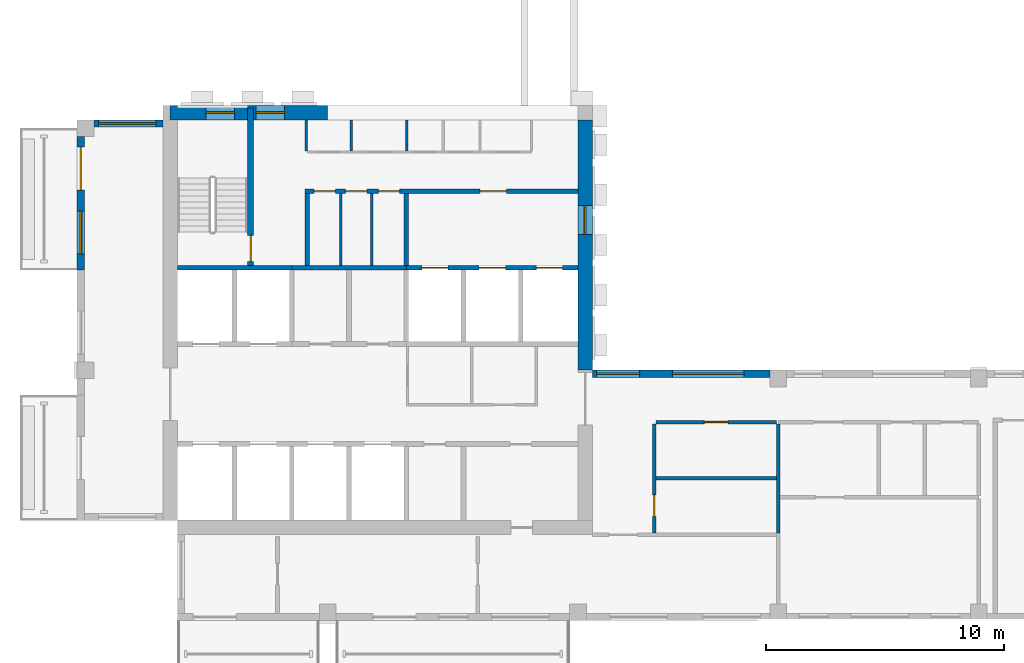
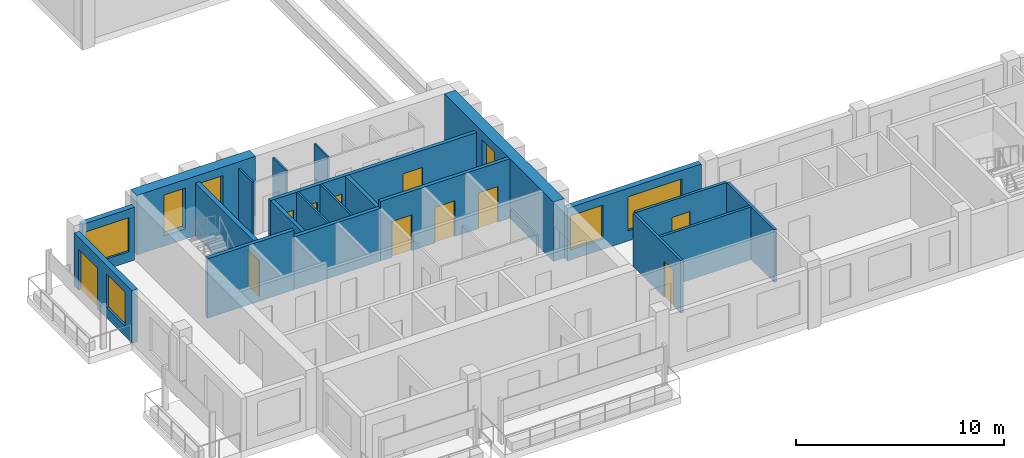
# One storey, part 3 of 9: 21 walls, 11 doors, 7 windows, 18 openings.
"""IFC4 building model written with IfcOpenShell, lengths in metres."""

from ifc_helpers import new_model, si_unit, direction, frame, frame_2d, origin, place, context, subcontext, project, spatial, rectangle, extrude, source, transform, mapped, material, layer, layer_set, type_object, element, fill, save


model = new_model("IFC4")

# Units and contexts
model_context = context("Model", 3, precision=1e-05, world=origin(), true_north=direction((0.0, 1.0)))
body_context = subcontext(model_context, "Body", "Model", "MODEL_VIEW")
ifc_project = project(units=[si_unit("LENGTHUNIT", "METRE"), si_unit("AREAUNIT", "SQUARE_METRE"), si_unit("VOLUMEUNIT", "CUBIC_METRE"), si_unit("PLANEANGLEUNIT", "RADIAN"), si_unit("MASSUNIT", "GRAM", prefix="KILO")], contexts=[model_context])

# Site, building, storey
site_placement = place(None, origin())
site = spatial("IfcSite", under=ifc_project, at=site_placement, CompositionType="ELEMENT")
building_placement = place(site_placement, origin())
building = spatial("IfcBuilding", under=site, at=building_placement, Name="Aurelian Terraces", CompositionType="ELEMENT")
storey_placement = place(building_placement, frame((0.0, 0.0, 319.5)))
storey = spatial("IfcBuildingStorey", under=building, at=storey_placement, Name="L74", CompositionType="ELEMENT", Elevation=319.5)

# Wall, opening, window
ifc_material_1 = material(Name="Concrete fc' 55 MPa", Category="concrete")
ifc_layer_1 = layer(ifc_material_1, 0.6)
ifc_layer_set_1 = layer_set([ifc_layer_1], Name="CORE WALL 600 FC55")
wall_type_1 = type_object("IfcWallType", Name="CORE WALL 600 FC55", PredefinedType="SHEAR", material=ifc_layer_set_1)
shared_shape_1 = source(origin(), body_context, "Body", "SweptSolid", [
    extrude(rectangle(XDim=10.5, YDim=0.6, at=frame_2d((5.25, 0.0))), origin(), (0.0, 0.0, 1.0), 3.5),
])
wall_1_placement = place(storey_placement, frame((21.3, 10.5, 0.0), z_axis=(0.0, 0.0, 1.0), x_axis=(0.0, 1.0, 0.0)))
wall_1 = element("IfcWall", 1, at=wall_1_placement, inside=storey, type_object=wall_type_1, Name="Core wall E L74 exposed", PredefinedType="SHEAR", context=body_context, shape_type="MappedRepresentation", body=[
    mapped(shared_shape_1, transform((0.0, 0.0, 0.0), scale=1.0)),
])
shared_shape_2 = source(origin(), body_context, "Body", "SweptSolid", [
    extrude(rectangle(XDim=1.2, YDim=2.4, at=frame_2d((0.6, 1.2))), frame((0.0, 0.31, 0.0), z_axis=(0.0, -1.0, 0.0), x_axis=(1.0, 0.0, 0.0)), (0.0, 0.0, 1.0), 0.62),
])
opening_1_placement = place(wall_1_placement, frame((5.7, 0.0, 0.6)))
opening_1 = element("IfcOpeningElement", 2, at=opening_1_placement, cuts=wall_1, Name="Opening W-CL", PredefinedType="OPENING", context=body_context, shape_type="MappedRepresentation", body=[
    mapped(shared_shape_2, transform((0.0, 0.0, 0.0), scale=1.0)),
])
ifc_material_2 = material(Name="Fire-resisting glazing", Category="glass")
window_type_1 = type_object("IfcWindowType", Name="Core lobby window 1200x2400", PartitioningType="SINGLE_PANEL", PredefinedType="WINDOW", material=ifc_material_2)
shared_shape_3 = source(origin(), body_context, "Body", "SweptSolid", [
    extrude(rectangle(XDim=1.2, YDim=2.4, at=frame_2d((0.6, 1.2))), frame((0.0, 0.03, 0.0), z_axis=(0.0, -1.0, 0.0), x_axis=(1.0, 0.0, 0.0)), (0.0, 0.0, 1.0), 0.06),
])
window_1_placement = place(opening_1_placement, origin())
window_1 = element("IfcWindow", 3, at=window_1_placement, inside=storey, type_object=window_type_1, Name="Lobby window L74 E31", OverallHeight=2.4, OverallWidth=1.2, PartitioningType="SINGLE_PANEL", PredefinedType="WINDOW", context=body_context, shape_type="MappedRepresentation", body=[
    mapped(shared_shape_3, transform((0.0, 0.0, 0.0), scale=1.0)),
])
fill(opening_1, window_1)

# Wall, openings, windows
shared_shape_4 = source(origin(), body_context, "Body", "SweptSolid", [
    extrude(rectangle(XDim=6.6, YDim=0.6, at=frame_2d((3.3, 0.0))), origin(), (0.0, 0.0, 1.0), 3.5),
])
wall_2_placement = place(storey_placement, frame((3.9, 21.3, 0.0), z_axis=(0.0, 0.0, 1.0), x_axis=(1.0, 0.0, 0.0)))
wall_2 = element("IfcWall", 4, at=wall_2_placement, inside=storey, type_object=wall_type_1, Name="Core wall N L74 exposed", PredefinedType="SHEAR", context=body_context, shape_type="MappedRepresentation", body=[
    mapped(shared_shape_4, transform((0.0, 0.0, 0.0), scale=1.0)),
])
opening_2_placement = place(wall_2_placement, frame((1.5, 0.0, 0.6)))
opening_2 = element("IfcOpeningElement", 5, at=opening_2_placement, cuts=wall_2, Name="Opening W-CL", PredefinedType="OPENING", context=body_context, shape_type="MappedRepresentation", body=[
    mapped(shared_shape_2, transform((0.0, 0.0, 0.0), scale=1.0)),
])
opening_3_placement = place(wall_2_placement, frame((3.6, 0.0, 0.6)))
opening_3 = element("IfcOpeningElement", 6, at=opening_3_placement, cuts=wall_2, Name="Opening W-CL", PredefinedType="OPENING", context=body_context, shape_type="MappedRepresentation", body=[
    mapped(shared_shape_2, transform((0.0, 0.0, 0.0), scale=1.0)),
])
window_2_placement = place(opening_2_placement, origin())
window_2 = element("IfcWindow", 7, at=window_2_placement, inside=storey, type_object=window_type_1, Name="Lobby window L74 N32", OverallHeight=2.4, OverallWidth=1.2, PartitioningType="SINGLE_PANEL", PredefinedType="WINDOW", context=body_context, shape_type="MappedRepresentation", body=[
    mapped(shared_shape_3, transform((0.0, 0.0, 0.0), scale=1.0)),
])
fill(opening_2, window_2)
window_3_placement = place(opening_3_placement, origin())
window_3 = element("IfcWindow", 8, at=window_3_placement, inside=storey, type_object=window_type_1, Name="Lobby window L74 N33", OverallHeight=2.4, OverallWidth=1.2, PartitioningType="SINGLE_PANEL", PredefinedType="WINDOW", context=body_context, shape_type="MappedRepresentation", body=[
    mapped(shared_shape_3, transform((0.0, 0.0, 0.0), scale=1.0)),
])
fill(opening_3, window_3)

ifc_material_3 = material(Name="Terracotta rainscreen cladding", Category="masonry")
ifc_layer_2 = layer(ifc_material_3, 0.3)
ifc_layer_set_2 = layer_set([ifc_layer_2], Name="EW-300")
wall_type_2 = type_object("IfcWallType", Name="EW-300", PredefinedType="STANDARD", material=ifc_layer_set_2)
shared_shape_5 = source(origin(), body_context, "Body", "SweptSolid", [
    extrude(rectangle(XDim=7.45, YDim=0.3, at=frame_2d((3.725, 0.0))), origin(), (0.0, 0.0, 1.0), 3.1),
])
wall_3_placement = place(storey_placement, frame((29.05, 10.35, 0.0), z_axis=(0.0, 0.0, 1.0), x_axis=(-1.0, 0.0, 0.0)))
wall_3 = element("IfcWall", 9, at=wall_3_placement, inside=storey, type_object=wall_type_2, Name="External wall L74 F03.8", PredefinedType="STANDARD", context=body_context, shape_type="MappedRepresentation", body=[
    mapped(shared_shape_5, transform((0.0, 0.0, 0.0), scale=1.0)),
])
shared_shape_6 = source(origin(), body_context, "Body", "SweptSolid", [
    extrude(rectangle(XDim=3.0, YDim=2.0, at=frame_2d((1.5, 1.0))), frame((0.0, 0.16, 0.0), z_axis=(0.0, -1.0, 0.0), x_axis=(1.0, 0.0, 0.0)), (0.0, 0.0, 1.0), 0.32),
])
opening_4_placement = place(wall_3_placement, frame((1.09, 0.0, 0.6)))
opening_4 = element("IfcOpeningElement", 10, at=opening_4_placement, cuts=wall_3, Name="Opening W3020", PredefinedType="OPENING", context=body_context, shape_type="MappedRepresentation", body=[
    mapped(shared_shape_6, transform((0.0, 0.0, 0.0), scale=1.0)),
])
shared_shape_7 = source(origin(), body_context, "Body", "SweptSolid", [
    extrude(rectangle(XDim=1.8, YDim=2.0, at=frame_2d((0.9, 1.0))), frame((0.0, 0.16, 0.0), z_axis=(0.0, -1.0, 0.0), x_axis=(1.0, 0.0, 0.0)), (0.0, 0.0, 1.0), 0.32),
])
opening_5_placement = place(wall_3_placement, frame((5.47, 0.0, 0.6)))
opening_5 = element("IfcOpeningElement", 11, at=opening_5_placement, cuts=wall_3, Name="Opening W1820", PredefinedType="OPENING", context=body_context, shape_type="MappedRepresentation", body=[
    mapped(shared_shape_7, transform((0.0, 0.0, 0.0), scale=1.0)),
])
ifc_material_4 = material(Name="Clear glazing", Category="glass")
window_type_2 = type_object("IfcWindowType", Name="W-3000x2000", PartitioningType="SINGLE_PANEL", PredefinedType="WINDOW", material=ifc_material_4)
shared_shape_8 = source(origin(), body_context, "Body", "SweptSolid", [
    extrude(rectangle(XDim=3.0, YDim=2.0, at=frame_2d((1.5, 1.0))), frame((0.0, 0.03, 0.0), z_axis=(0.0, -1.0, 0.0), x_axis=(1.0, 0.0, 0.0)), (0.0, 0.0, 1.0), 0.06),
])
window_4_placement = place(opening_4_placement, origin())
window_4 = element("IfcWindow", 12, at=window_4_placement, inside=storey, type_object=window_type_2, Name="Window L74 L74-F03-08-5", OverallHeight=2.0, OverallWidth=3.0, PartitioningType="SINGLE_PANEL", PredefinedType="WINDOW", context=body_context, shape_type="MappedRepresentation", body=[
    mapped(shared_shape_8, transform((0.0, 0.0, 0.0), scale=1.0)),
])
fill(opening_4, window_4)
window_type_3 = type_object("IfcWindowType", Name="W-1800x2000", PartitioningType="SINGLE_PANEL", PredefinedType="WINDOW", material=ifc_material_4)
shared_shape_9 = source(origin(), body_context, "Body", "SweptSolid", [
    extrude(rectangle(XDim=1.8, YDim=2.0, at=frame_2d((0.9, 1.0))), frame((0.0, 0.03, 0.0), z_axis=(0.0, -1.0, 0.0), x_axis=(1.0, 0.0, 0.0)), (0.0, 0.0, 1.0), 0.06),
])
window_5_placement = place(opening_5_placement, origin())
window_5 = element("IfcWindow", 13, at=window_5_placement, inside=storey, type_object=window_type_3, Name="Window L74 L74-F03-08-6", OverallHeight=2.0, OverallWidth=1.8, PartitioningType="SINGLE_PANEL", PredefinedType="WINDOW", context=body_context, shape_type="MappedRepresentation", body=[
    mapped(shared_shape_9, transform((0.0, 0.0, 0.0), scale=1.0)),
])
fill(opening_5, window_5)

# Wall, opening, window
shared_shape_10 = source(origin(), body_context, "Body", "SweptSolid", [
    extrude(rectangle(XDim=2.9, YDim=0.3, at=frame_2d((1.45, 0.0))), origin(), (0.0, 0.0, 1.0), 3.1),
])
wall_4_placement = place(storey_placement, frame((3.6, 20.85, 0.0), z_axis=(0.0, 0.0, 1.0), x_axis=(-1.0, 0.0, 0.0)))
wall_4 = element("IfcWall", 14, at=wall_4_placement, inside=storey, type_object=wall_type_2, Name="External wall L74 F11.17", PredefinedType="STANDARD", context=body_context, shape_type="MappedRepresentation", body=[
    mapped(shared_shape_10, transform((0.0, 0.0, 0.0), scale=1.0)),
])
shared_shape_11 = source(origin(), body_context, "Body", "SweptSolid", [
    extrude(rectangle(XDim=2.4, YDim=2.0, at=frame_2d((1.2, 1.0))), frame((0.0, 0.16, 0.0), z_axis=(0.0, -1.0, 0.0), x_axis=(1.0, 0.0, 0.0)), (0.0, 0.0, 1.0), 0.32),
])
opening_6_placement = place(wall_4_placement, frame((0.3, 0.0, 0.6)))
opening_6 = element("IfcOpeningElement", 15, at=opening_6_placement, cuts=wall_4, Name="Opening W2420", PredefinedType="OPENING", context=body_context, shape_type="MappedRepresentation", body=[
    mapped(shared_shape_11, transform((0.0, 0.0, 0.0), scale=1.0)),
])
window_type_4 = type_object("IfcWindowType", Name="W-2400x2000", PartitioningType="SINGLE_PANEL", PredefinedType="WINDOW", material=ifc_material_4)
shared_shape_12 = source(origin(), body_context, "Body", "SweptSolid", [
    extrude(rectangle(XDim=2.4, YDim=2.0, at=frame_2d((1.2, 1.0))), frame((0.0, 0.03, 0.0), z_axis=(0.0, -1.0, 0.0), x_axis=(1.0, 0.0, 0.0)), (0.0, 0.0, 1.0), 0.06),
])
window_6_placement = place(opening_6_placement, origin())
window_6 = element("IfcWindow", 16, at=window_6_placement, inside=storey, type_object=window_type_4, Name="Window L74 L74-F11-17-0", OverallHeight=2.0, OverallWidth=2.4, PartitioningType="SINGLE_PANEL", PredefinedType="WINDOW", context=body_context, shape_type="MappedRepresentation", body=[
    mapped(shared_shape_12, transform((0.0, 0.0, 0.0), scale=1.0)),
])
fill(opening_6, window_6)

# Wall, openings, door, window
shared_shape_13 = source(origin(), body_context, "Body", "SweptSolid", [
    extrude(rectangle(XDim=5.6, YDim=0.3, at=frame_2d((2.8, 0.0))), origin(), (0.0, 0.0, 1.0), 3.1),
])
wall_5_placement = place(storey_placement, frame((0.15, 20.3, 0.0), z_axis=(0.0, 0.0, 1.0), x_axis=(0.0, -1.0, 0.0)))
wall_5 = element("IfcWall", 17, at=wall_5_placement, inside=storey, type_object=wall_type_2, Name="External wall L74 F12.18", PredefinedType="STANDARD", context=body_context, shape_type="MappedRepresentation", body=[
    mapped(shared_shape_13, transform((0.0, 0.0, 0.0), scale=1.0)),
])
shared_shape_14 = source(origin(), body_context, "Body", "SweptSolid", [
    extrude(rectangle(XDim=1.8, YDim=2.4, at=frame_2d((0.9, 1.2))), frame((0.0, 0.16, 0.0), z_axis=(0.0, -1.0, 0.0), x_axis=(1.0, 0.0, 0.0)), (0.0, 0.0, 1.0), 0.32),
])
opening_7_placement = place(wall_5_placement, frame((0.45, 0.0, 0.0)))
opening_7 = element("IfcOpeningElement", 18, at=opening_7_placement, cuts=wall_5, Name="Opening 87403", PredefinedType="OPENING", context=body_context, shape_type="MappedRepresentation", body=[
    mapped(shared_shape_14, transform((0.0, 0.0, 0.0), scale=1.0)),
])
opening_8_placement = place(wall_5_placement, frame((3.125, 0.0, 0.6)))
opening_8 = element("IfcOpeningElement", 19, at=opening_8_placement, cuts=wall_5, Name="Opening W1820", PredefinedType="OPENING", context=body_context, shape_type="MappedRepresentation", body=[
    mapped(shared_shape_7, transform((0.0, 0.0, 0.0), scale=1.0)),
])
door_type_1 = type_object("IfcDoorType", Name="BD-1800x2400", OperationType="SLIDING_TO_LEFT", PredefinedType="DOOR", material=ifc_material_4)
shared_shape_15 = source(origin(), body_context, "Body", "SweptSolid", [
    extrude(rectangle(XDim=1.8, YDim=2.4, at=frame_2d((0.9, 1.2))), frame((0.0, 0.025, 0.0), z_axis=(0.0, -1.0, 0.0), x_axis=(1.0, 0.0, 0.0)), (0.0, 0.0, 1.0), 0.05),
])
door_1_placement = place(opening_7_placement, origin())
door_1 = element("IfcDoor", 20, at=door_1_placement, inside=storey, type_object=door_type_1, Name="Balcony door L74 F12.18", OperationType="SLIDING_TO_LEFT", OverallHeight=2.4, OverallWidth=1.8, PredefinedType="DOOR", context=body_context, shape_type="MappedRepresentation", body=[
    mapped(shared_shape_15, transform((0.0, 0.0, 0.0), scale=1.0)),
])
fill(opening_7, door_1)
window_7_placement = place(opening_8_placement, origin())
window_7 = element("IfcWindow", 21, at=window_7_placement, inside=storey, type_object=window_type_3, Name="Window L74 L74-F12-18-1", OverallHeight=2.0, OverallWidth=1.8, PartitioningType="SINGLE_PANEL", PredefinedType="WINDOW", context=body_context, shape_type="MappedRepresentation", body=[
    mapped(shared_shape_9, transform((0.0, 0.0, 0.0), scale=1.0)),
])
fill(opening_8, window_7)

# Walls
ifc_material_5 = material(Name="Concrete fc' 40 MPa", Category="concrete")
ifc_layer_3 = layer(ifc_material_5, 0.2)
ifc_layer_set_3 = layer_set([ifc_layer_3], Name="Lift shaft wall 200")
wall_type_3 = type_object("IfcWallType", Name="Lift shaft wall 200", PredefinedType="SOLIDWALL", material=ifc_layer_set_3)
shared_shape_16 = source(origin(), body_context, "Body", "SweptSolid", [
    extrude(rectangle(XDim=4.8, YDim=0.2, at=frame_2d((2.4, 0.0))), origin(), (0.0, 0.0, 1.0), 3.5),
])
wall_6_placement = place(storey_placement, frame((4.2, 14.8, 0.0), z_axis=(0.0, 0.0, 1.0), x_axis=(1.0, 0.0, 0.0)))
element("IfcWall", 22, at=wall_6_placement, inside=storey, type_object=wall_type_3, Name="L74 core wall CF-BB1", PredefinedType="SOLIDWALL", context=body_context, shape_type="MappedRepresentation", body=[
    mapped(shared_shape_16, transform((0.0, 0.0, 0.0), scale=1.0)),
])
shared_shape_17 = source(origin(), body_context, "Body", "SweptSolid", [
    extrude(rectangle(XDim=4.8, YDim=0.2, at=frame_2d((2.4, 0.0))), origin(), (0.0, 0.0, 1.0), 3.1),
])
wall_7_placement = place(storey_placement, frame((9.0, 14.8, 0.0), z_axis=(0.0, 0.0, 1.0), x_axis=(1.0, 0.0, 0.0)))
element("IfcWall", 23, at=wall_7_placement, inside=storey, type_object=wall_type_3, Name="L74 core wall CF-BB2", PredefinedType="SOLIDWALL", context=body_context, shape_type="MappedRepresentation", body=[
    mapped(shared_shape_17, transform((0.0, 0.0, 0.0), scale=1.0)),
])

# Wall, openings, doors
shared_shape_18 = source(origin(), body_context, "Body", "SweptSolid", [
    extrude(rectangle(XDim=7.2, YDim=0.2, at=frame_2d((3.6, 0.0))), origin(), (0.0, 0.0, 1.0), 3.5),
])
wall_8_placement = place(storey_placement, frame((13.8, 14.8, 0.0), z_axis=(0.0, 0.0, 1.0), x_axis=(1.0, 0.0, 0.0)))
wall_8 = element("IfcWall", 24, at=wall_8_placement, inside=storey, type_object=wall_type_3, Name="L74 core wall CF-BB3", PredefinedType="SOLIDWALL", context=body_context, shape_type="MappedRepresentation", body=[
    mapped(shared_shape_18, transform((0.0, 0.0, 0.0), scale=1.0)),
])
shared_shape_19 = source(origin(), body_context, "Body", "SweptSolid", [
    extrude(rectangle(XDim=1.1, YDim=2.1, at=frame_2d((0.55, 1.05))), frame((0.0, 0.11, 0.0), z_axis=(0.0, -1.0, 0.0), x_axis=(1.0, 0.0, 0.0)), (0.0, 0.0, 1.0), 0.22),
])
opening_9_placement = place(wall_8_placement, frame((0.65, 0.0, 0.0)))
opening_9 = element("IfcOpeningElement", 25, at=opening_9_placement, cuts=wall_8, Name="Opening 67710", PredefinedType="OPENING", context=body_context, shape_type="MappedRepresentation", body=[
    mapped(shared_shape_19, transform((0.0, 0.0, 0.0), scale=1.0)),
])
opening_10_placement = place(wall_8_placement, frame((3.05, 0.0, 0.0)))
opening_10 = element("IfcOpeningElement", 26, at=opening_10_placement, cuts=wall_8, Name="Opening 67711", PredefinedType="OPENING", context=body_context, shape_type="MappedRepresentation", body=[
    mapped(shared_shape_19, transform((0.0, 0.0, 0.0), scale=1.0)),
])
opening_11_placement = place(wall_8_placement, frame((5.45, 0.0, 0.0)))
opening_11 = element("IfcOpeningElement", 27, at=opening_11_placement, cuts=wall_8, Name="Opening 67712", PredefinedType="OPENING", context=body_context, shape_type="MappedRepresentation", body=[
    mapped(shared_shape_19, transform((0.0, 0.0, 0.0), scale=1.0)),
])
ifc_material_6 = material(Name="Stainless steel", Category="steel")
door_type_2 = type_object("IfcDoorType", Name="Lift landing door 1100x2100", OperationType="SLIDING_TO_LEFT", PredefinedType="DOOR", material=ifc_material_6)
shared_shape_20 = source(origin(), body_context, "Body", "SweptSolid", [
    extrude(rectangle(XDim=1.1, YDim=2.1, at=frame_2d((0.55, 1.05))), frame((0.0, 0.025, 0.0), z_axis=(0.0, -1.0, 0.0), x_axis=(1.0, 0.0, 0.0)), (0.0, 0.0, 1.0), 0.05),
])
door_2_placement = place(opening_9_placement, origin())
door_2 = element("IfcDoor", 28, at=door_2_placement, inside=storey, type_object=door_type_2, Name="Lift landing door F1 L74", OperationType="SLIDING_TO_LEFT", OverallHeight=2.1, OverallWidth=1.1, PredefinedType="DOOR", context=body_context, shape_type="MappedRepresentation", body=[
    mapped(shared_shape_20, transform((0.0, 0.0, 0.0), scale=1.0)),
])
fill(opening_9, door_2)
door_3_placement = place(opening_10_placement, origin())
door_3 = element("IfcDoor", 29, at=door_3_placement, inside=storey, type_object=door_type_2, Name="Lift landing door F2 L74", OperationType="SLIDING_TO_LEFT", OverallHeight=2.1, OverallWidth=1.1, PredefinedType="DOOR", context=body_context, shape_type="MappedRepresentation", body=[
    mapped(shared_shape_20, transform((0.0, 0.0, 0.0), scale=1.0)),
])
fill(opening_10, door_3)
door_4_placement = place(opening_11_placement, origin())
door_4 = element("IfcDoor", 30, at=door_4_placement, inside=storey, type_object=door_type_2, Name="Lift landing door F3 L74", OperationType="SLIDING_TO_LEFT", OverallHeight=2.1, OverallWidth=1.1, PredefinedType="DOOR", context=body_context, shape_type="MappedRepresentation", body=[
    mapped(shared_shape_20, transform((0.0, 0.0, 0.0), scale=1.0)),
])
fill(opening_11, door_4)

# Walls
ifc_material_7 = material(Name="Gypsum board on steel studs", Category="steel")
ifc_layer_4 = layer(ifc_material_7, 0.2)
ifc_layer_set_4 = layer_set([ifc_layer_4], Name="Core partition 200")
wall_type_4 = type_object("IfcWallType", Name="Core partition 200", PredefinedType="PARTITIONING", material=ifc_layer_set_4)
shared_shape_21 = source(origin(), body_context, "Body", "SweptSolid", [
    extrude(rectangle(XDim=3.0, YDim=0.2, at=frame_2d((1.5, 0.0))), origin(), (0.0, 0.0, 1.0), 3.1),
])
for number, where, z_axis, x_axis, name in (
    (31, (9.65, 14.9, 0.0), (0.0, 0.0, 1.0), (0.0, 1.0, 0.0), "L74 core wall CP-VEST"),
    (32, (13.8, 14.9, 0.0), (0.0, 0.0, 1.0), (0.0, 1.0, 0.0), "L74 core wall CP-FFL"),
):
    element("IfcWall", number, at=place(storey_placement, frame(where, z_axis=z_axis, x_axis=x_axis)), inside=storey, type_object=wall_type_4, Name=name, PredefinedType="PARTITIONING", context=body_context, shape_type="MappedRepresentation", body=[
        mapped(shared_shape_21, transform((0.0, 0.0, 0.0), scale=1.0)),
    ])

# Wall, opening, door
ifc_layer_5 = layer(ifc_material_5, 0.25)
ifc_layer_set_5 = layer_set([ifc_layer_5], Name="Stair enclosure wall 250")
wall_type_5 = type_object("IfcWallType", Name="Stair enclosure wall 250", PredefinedType="SOLIDWALL", material=ifc_layer_set_5)
shared_shape_22 = source(origin(), body_context, "Body", "SweptSolid", [
    extrude(rectangle(XDim=6.6, YDim=0.25, at=frame_2d((3.3, 0.0))), origin(), (0.0, 0.0, 1.0), 3.1),
])
wall_9_placement = place(storey_placement, frame((7.275, 14.9, 0.0), z_axis=(0.0, 0.0, 1.0), x_axis=(0.0, 1.0, 0.0)))
wall_9 = element("IfcWall", 33, at=wall_9_placement, inside=storey, type_object=wall_type_5, Name="L74 core wall ST-S1-E", PredefinedType="SOLIDWALL", context=body_context, shape_type="MappedRepresentation", body=[
    mapped(shared_shape_22, transform((0.0, 0.0, 0.0), scale=1.0)),
])
shared_shape_23 = source(origin(), body_context, "Body", "SweptSolid", [
    extrude(rectangle(XDim=1.1, YDim=2.1, at=frame_2d((0.55, 1.05))), frame((0.0, 0.135, 0.0), z_axis=(0.0, -1.0, 0.0), x_axis=(1.0, 0.0, 0.0)), (0.0, 0.0, 1.0), 0.27),
])
opening_12_placement = place(wall_9_placement, frame((0.15, 0.0, 0.0)))
opening_12 = element("IfcOpeningElement", 34, at=opening_12_placement, cuts=wall_9, Name="Opening 67713", PredefinedType="OPENING", context=body_context, shape_type="MappedRepresentation", body=[
    mapped(shared_shape_23, transform((0.0, 0.0, 0.0), scale=1.0)),
])
ifc_material_8 = material(Name="Steel door leaf", Category="steel")
door_type_3 = type_object("IfcDoorType", Name="Core fire door 1100x2100", OperationType="SINGLE_SWING_LEFT", PredefinedType="DOOR", material=ifc_material_8)
door_5_placement = place(opening_12_placement, origin())
door_5 = element("IfcDoor", 35, at=door_5_placement, inside=storey, type_object=door_type_3, Name="Stair door 67713", OperationType="SINGLE_SWING_LEFT", OverallHeight=2.1, OverallWidth=1.1, PredefinedType="DOOR", context=body_context, shape_type="MappedRepresentation", body=[
    mapped(shared_shape_20, transform((0.0, 0.0, 0.0), scale=1.0)),
])
fill(opening_12, door_5)

# Wall, openings, doors
shared_shape_24 = source(origin(), body_context, "Body", "SweptSolid", [
    extrude(rectangle(XDim=11.45, YDim=0.2, at=frame_2d((5.725, 0.0))), origin(), (0.0, 0.0, 1.0), 3.1),
])
wall_10_placement = place(storey_placement, frame((9.55, 18.0, 0.0), z_axis=(0.0, 0.0, 1.0), x_axis=(1.0, 0.0, 0.0)))
wall_10 = element("IfcWall", 36, at=wall_10_placement, inside=storey, type_object=wall_type_4, Name="L74 core wall CP-NORTH", PredefinedType="PARTITIONING", context=body_context, shape_type="MappedRepresentation", body=[
    mapped(shared_shape_24, transform((0.0, 0.0, 0.0), scale=1.0)),
])
shared_shape_25 = source(origin(), body_context, "Body", "SweptSolid", [
    extrude(rectangle(XDim=0.9, YDim=2.1, at=frame_2d((0.45, 1.05))), frame((0.0, 0.11, 0.0), z_axis=(0.0, -1.0, 0.0), x_axis=(1.0, 0.0, 0.0)), (0.0, 0.0, 1.0), 0.22),
])
opening_13_placement = place(wall_10_placement, frame((0.375, 0.0, 0.0)))
opening_13 = element("IfcOpeningElement", 37, at=opening_13_placement, cuts=wall_10, Name="Opening 67714", PredefinedType="OPENING", context=body_context, shape_type="MappedRepresentation", body=[
    mapped(shared_shape_25, transform((0.0, 0.0, 0.0), scale=1.0)),
])
opening_14_placement = place(wall_10_placement, frame((1.7, 0.0, 0.0)))
opening_14 = element("IfcOpeningElement", 38, at=opening_14_placement, cuts=wall_10, Name="Opening 67715", PredefinedType="OPENING", context=body_context, shape_type="MappedRepresentation", body=[
    mapped(shared_shape_25, transform((0.0, 0.0, 0.0), scale=1.0)),
])
opening_15_placement = place(wall_10_placement, frame((3.075, 0.0, 0.0)))
opening_15 = element("IfcOpeningElement", 39, at=opening_15_placement, cuts=wall_10, Name="Opening 67716", PredefinedType="OPENING", context=body_context, shape_type="MappedRepresentation", body=[
    mapped(shared_shape_25, transform((0.0, 0.0, 0.0), scale=1.0)),
])
opening_16_placement = place(wall_10_placement, frame((7.35, 0.0, 0.0)))
opening_16 = element("IfcOpeningElement", 40, at=opening_16_placement, cuts=wall_10, Name="Opening 67717", PredefinedType="OPENING", context=body_context, shape_type="MappedRepresentation", body=[
    mapped(shared_shape_19, transform((0.0, 0.0, 0.0), scale=1.0)),
])
door_type_4 = type_object("IfcDoorType", Name="Core riser door 900x2100 right", OperationType="SINGLE_SWING_RIGHT", PredefinedType="DOOR", material=ifc_material_8)
shared_shape_26 = source(origin(), body_context, "Body", "SweptSolid", [
    extrude(rectangle(XDim=0.9, YDim=2.1, at=frame_2d((0.45, 1.05))), frame((0.0, 0.025, 0.0), z_axis=(0.0, -1.0, 0.0), x_axis=(1.0, 0.0, 0.0)), (0.0, 0.0, 1.0), 0.05),
])
door_6_placement = place(opening_13_placement, origin())
door_6 = element("IfcDoor", 41, at=door_6_placement, inside=storey, type_object=door_type_4, Name="Room door 67714", OperationType="SINGLE_SWING_RIGHT", OverallHeight=2.1, OverallWidth=0.9, PredefinedType="DOOR", context=body_context, shape_type="MappedRepresentation", body=[
    mapped(shared_shape_26, transform((0.0, 0.0, 0.0), scale=1.0)),
])
fill(opening_13, door_6)
door_type_5 = type_object("IfcDoorType", Name="Core service door 900x2100", OperationType="SINGLE_SWING_LEFT", PredefinedType="DOOR", material=ifc_material_8)
door_7_placement = place(opening_14_placement, origin())
door_7 = element("IfcDoor", 42, at=door_7_placement, inside=storey, type_object=door_type_5, Name="Room door 67715", OperationType="SINGLE_SWING_LEFT", OverallHeight=2.1, OverallWidth=0.9, PredefinedType="DOOR", context=body_context, shape_type="MappedRepresentation", body=[
    mapped(shared_shape_26, transform((0.0, 0.0, 0.0), scale=1.0)),
])
fill(opening_14, door_7)
door_type_6 = type_object("IfcDoorType", Name="Core service door 900x2100 right", OperationType="SINGLE_SWING_RIGHT", PredefinedType="DOOR", material=ifc_material_8)
door_8_placement = place(opening_15_placement, origin())
door_8 = element("IfcDoor", 43, at=door_8_placement, inside=storey, type_object=door_type_6, Name="Room door 67716", OperationType="SINGLE_SWING_RIGHT", OverallHeight=2.1, OverallWidth=0.9, PredefinedType="DOOR", context=body_context, shape_type="MappedRepresentation", body=[
    mapped(shared_shape_26, transform((0.0, 0.0, 0.0), scale=1.0)),
])
fill(opening_15, door_8)
door_9_placement = place(opening_16_placement, origin())
door_9 = element("IfcDoor", 44, at=door_9_placement, inside=storey, type_object=door_type_3, Name="Ff lobby door 67717", OperationType="SINGLE_SWING_LEFT", OverallHeight=2.1, OverallWidth=1.1, PredefinedType="DOOR", context=body_context, shape_type="MappedRepresentation", body=[
    mapped(shared_shape_20, transform((0.0, 0.0, 0.0), scale=1.0)),
])
fill(opening_16, door_9)

# Walls
ifc_layer_6 = layer(ifc_material_7, 0.1)
ifc_layer_set_6 = layer_set([ifc_layer_6], Name="Core partition 100")
wall_type_6 = type_object("IfcWallType", Name="Core partition 100", PredefinedType="PARTITIONING", material=ifc_layer_set_6)
shared_shape_27 = source(origin(), body_context, "Body", "SweptSolid", [
    extrude(rectangle(XDim=3.0, YDim=0.1, at=frame_2d((1.5, 0.0))), origin(), (0.0, 0.0, 1.0), 3.1),
])
for number, where, z_axis, x_axis, name in (
    (45, (11.05, 14.9, 0.0), (0.0, 0.0, 1.0), (0.0, 1.0, 0.0), "L74 core wall CP-SV1"),
    (46, (12.35, 14.9, 0.0), (0.0, 0.0, 1.0), (0.0, 1.0, 0.0), "L74 core wall CP-SV2"),
):
    element("IfcWall", number, at=place(storey_placement, frame(where, z_axis=z_axis, x_axis=x_axis)), inside=storey, type_object=wall_type_6, Name=name, PredefinedType="PARTITIONING", context=body_context, shape_type="MappedRepresentation", body=[
        mapped(shared_shape_27, transform((0.0, 0.0, 0.0), scale=1.0)),
    ])
shared_shape_28 = source(origin(), body_context, "Body", "SweptSolid", [
    extrude(rectangle(XDim=1.3, YDim=0.1, at=frame_2d((0.65, 0.0))), origin(), (0.0, 0.0, 1.0), 3.1),
])
for number, where, z_axis, x_axis, name in (
    (47, (11.4992, 19.7, 0.0), (0.0, 0.0, 1.0), (0.0, 1.0, 0.0), "L74 core wall SV-NP1"),
    (48, (13.8107, 19.7, 0.0), (0.0, 0.0, 1.0), (0.0, 1.0, 0.0), "L74 core wall SV-NP2"),
    (49, (9.6, 19.7, 0.0), (0.0, 0.0, 1.0), (0.0, 1.0, 0.0), "L74 core wall SV-NW0"),
):
    element("IfcWall", number, at=place(storey_placement, frame(where, z_axis=z_axis, x_axis=x_axis)), inside=storey, type_object=wall_type_6, Name=name, PredefinedType="PARTITIONING", context=body_context, shape_type="MappedRepresentation", body=[
        mapped(shared_shape_28, transform((0.0, 0.0, 0.0), scale=1.0)),
    ])

# Wall, opening, door
ifc_layer_7 = layer(ifc_material_7, 0.15)
ifc_layer_set_7 = layer_set([ifc_layer_7], Name="Partition 150")
wall_type_7 = type_object("IfcWallType", Name="Partition 150", PredefinedType="PARTITIONING", material=ifc_layer_set_7)
shared_shape_29 = source(origin(), body_context, "Body", "SweptSolid", [
    extrude(rectangle(XDim=4.575, YDim=0.15, at=frame_2d((2.2875, 0.0))), origin(), (0.0, 0.0, 1.0), 3.1),
])
wall_11_placement = place(storey_placement, frame((24.2, 8.25, 0.0), z_axis=(0.0, 0.0, 1.0), x_axis=(0.0, -1.0, 0.0)))
wall_11 = element("IfcWall", 50, at=wall_11_placement, inside=storey, type_object=wall_type_7, Name="Partition", PredefinedType="PARTITIONING", context=body_context, shape_type="MappedRepresentation", body=[
    mapped(shared_shape_29, transform((0.0, 0.0, 0.0), scale=1.0)),
])
shared_shape_30 = source(origin(), body_context, "Body", "SweptSolid", [
    extrude(rectangle(XDim=0.9, YDim=2.1, at=frame_2d((0.45, 1.05))), frame((0.0, 0.085, 0.0), z_axis=(0.0, -1.0, 0.0), x_axis=(1.0, 0.0, 0.0)), (0.0, 0.0, 1.0), 0.17),
])
opening_17_placement = place(wall_11_placement, frame((2.981, 0.0, 0.0)))
opening_17 = element("IfcOpeningElement", 51, at=opening_17_placement, cuts=wall_11, Name="Opening 774002", PredefinedType="OPENING", context=body_context, shape_type="MappedRepresentation", body=[
    mapped(shared_shape_30, transform((0.0, 0.0, 0.0), scale=1.0)),
])
ifc_material_9 = material(Name="Timber door leaf", Category="wood")
door_type_7 = type_object("IfcDoorType", Name="Room door 900x2100 right", OperationType="SINGLE_SWING_RIGHT", PredefinedType="DOOR", material=ifc_material_9)
door_10_placement = place(opening_17_placement, origin())
door_10 = element("IfcDoor", 52, at=door_10_placement, inside=storey, type_object=door_type_7, Name="Door 774002", OperationType="SINGLE_SWING_RIGHT", OverallHeight=2.1, OverallWidth=0.9, PredefinedType="DOOR", context=body_context, shape_type="MappedRepresentation", body=[
    mapped(shared_shape_26, transform((0.0, 0.0, 0.0), scale=1.0)),
])
fill(opening_17, door_10)

# Wall
wall_12_placement = place(storey_placement, frame((29.4, 3.675, 0.0), z_axis=(0.0, 0.0, 1.0), x_axis=(0.0, 1.0, 0.0)))
element("IfcWall", 53, at=wall_12_placement, inside=storey, type_object=wall_type_7, Name="Partition", PredefinedType="PARTITIONING", context=body_context, shape_type="MappedRepresentation", body=[
    mapped(shared_shape_29, transform((0.0, 0.0, 0.0), scale=1.0)),
])

# Wall, opening, door
ifc_layer_8 = layer(ifc_material_7, 0.15)
ifc_layer_set_8 = layer_set([ifc_layer_8], Name="Fire partition 150")
wall_type_8 = type_object("IfcWallType", Name="Fire partition 150", PredefinedType="PARTITIONING", material=ifc_layer_set_8)
shared_shape_31 = source(origin(), body_context, "Body", "SweptSolid", [
    extrude(rectangle(XDim=5.05, YDim=0.15, at=frame_2d((2.525, 0.0))), origin(), (0.0, 0.0, 1.0), 3.1),
])
wall_13_placement = place(storey_placement, frame((29.325, 8.325, 0.0), z_axis=(0.0, 0.0, 1.0), x_axis=(-1.0, 0.0, 0.0)))
wall_13 = element("IfcWall", 54, at=wall_13_placement, inside=storey, type_object=wall_type_8, Name="Corridor wall", PredefinedType="PARTITIONING", context=body_context, shape_type="MappedRepresentation", body=[
    mapped(shared_shape_31, transform((0.0, 0.0, 0.0), scale=1.0)),
])
shared_shape_32 = source(origin(), body_context, "Body", "SweptSolid", [
    extrude(rectangle(XDim=1.0, YDim=2.1, at=frame_2d((0.5, 1.05))), frame((0.0, 0.085, 0.0), z_axis=(0.0, -1.0, 0.0), x_axis=(1.0, 0.0, 0.0)), (0.0, 0.0, 1.0), 0.17),
])
opening_18_placement = place(wall_13_placement, frame((2.025, 0.0, 0.0)))
opening_18 = element("IfcOpeningElement", 55, at=opening_18_placement, cuts=wall_13, Name="Opening 774001", PredefinedType="OPENING", context=body_context, shape_type="MappedRepresentation", body=[
    mapped(shared_shape_32, transform((0.0, 0.0, 0.0), scale=1.0)),
])
door_type_8 = type_object("IfcDoorType", Name="Entrance fire door 1000x2100 left", OperationType="SINGLE_SWING_LEFT", PredefinedType="DOOR", material=ifc_material_8)
shared_shape_33 = source(origin(), body_context, "Body", "SweptSolid", [
    extrude(rectangle(XDim=1.0, YDim=2.1, at=frame_2d((0.5, 1.05))), frame((0.0, 0.025, 0.0), z_axis=(0.0, -1.0, 0.0), x_axis=(1.0, 0.0, 0.0)), (0.0, 0.0, 1.0), 0.05),
])
door_11_placement = place(opening_18_placement, origin())
door_11 = element("IfcDoor", 56, at=door_11_placement, inside=storey, type_object=door_type_8, Name="Door 774001", OperationType="SINGLE_SWING_LEFT", OverallHeight=2.1, OverallWidth=1.0, PredefinedType="DOOR", context=body_context, shape_type="MappedRepresentation", body=[
    mapped(shared_shape_33, transform((0.0, 0.0, 0.0), scale=1.0)),
])
fill(opening_18, door_11)

# Wall
wall_14_placement = place(storey_placement, frame((29.325, 5.963, 0.0), z_axis=(0.0, 0.0, 1.0), x_axis=(-1.0, 0.0, 0.0)))
element("IfcWall", 57, at=wall_14_placement, inside=storey, type_object=wall_type_7, Name="Partition", PredefinedType="PARTITIONING", context=body_context, shape_type="MappedRepresentation", body=[
    mapped(shared_shape_31, transform((0.0, 0.0, 0.0), scale=1.0)),
])

save(model, "model.ifc")
